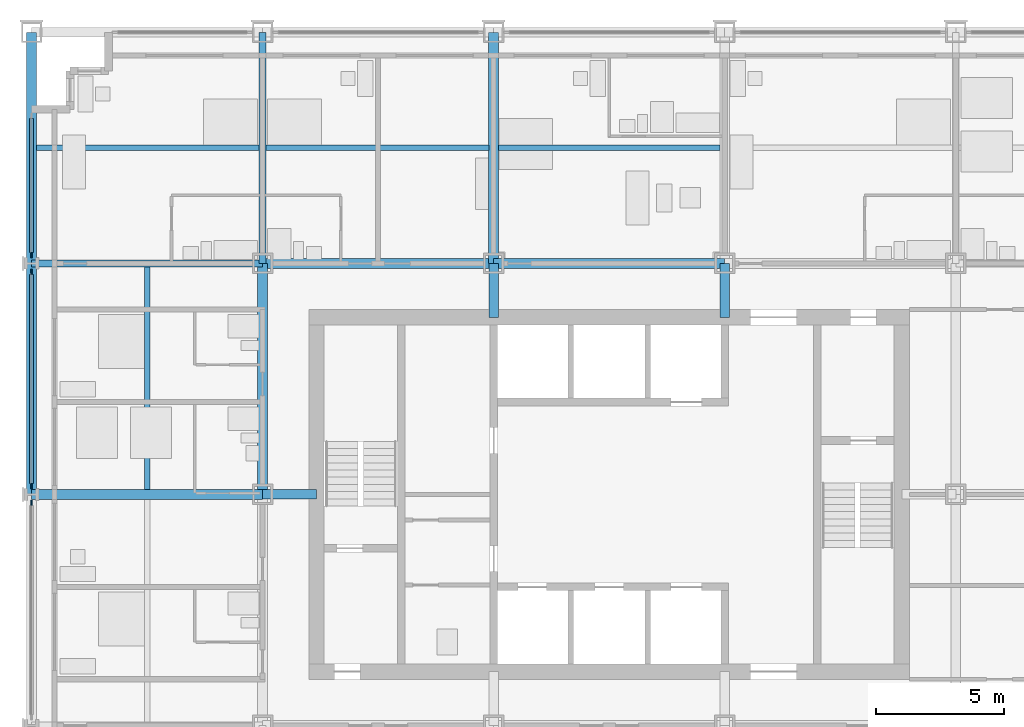
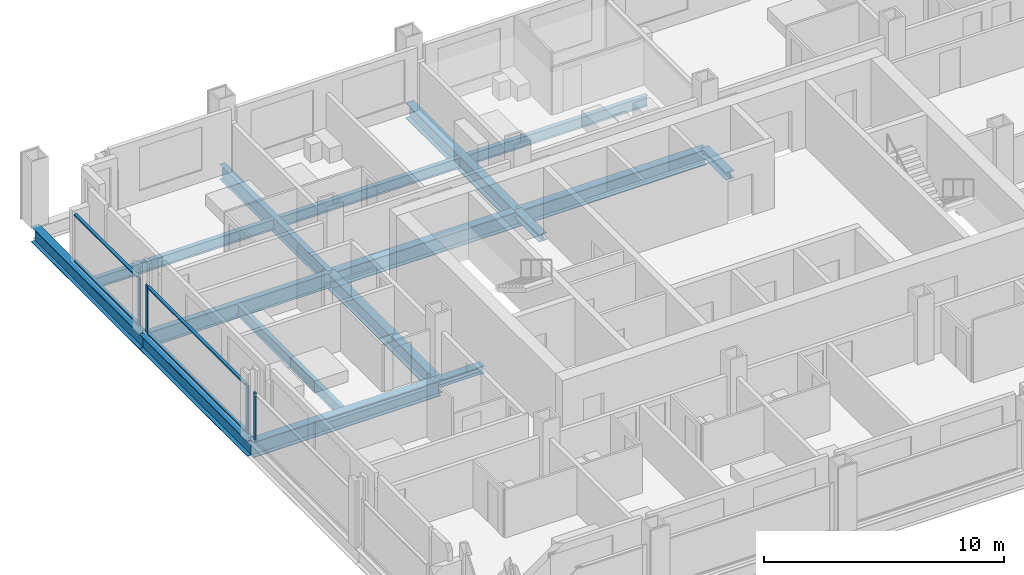
# One storey, part 4 of 18: 13 beams, 11 members, 3 elements without a shape of their own.
"""IFC4 building model written with IfcOpenShell, lengths in metres."""

import ifcopenshell
import ifcopenshell.guid

model = None  # the IFC model being written
_history = None  # IfcOwnerHistory: only IFC2X3 demands one
_inside = {}  # id of a spatial element -> (the spatial element, [elements in it])
_under = {}  # id of a project, library or spatial element -> (it, [spatial elements below it])
_declared = {}  # id of a project -> (the project, [libraries it declares])
_typed = {}  # id of a type object -> (the type object, [elements of that type])
_made_of = {}  # id of a material, layer set ... -> (it, [elements and type objects made of it])


def new_model(schema):
    """Start an empty IFC model of exactly this schema.

    Asked for "IFC4X3", IfcOpenShell would pick the latest addendum, in which some entities
    have other attributes; the version numbers below select the first issue.
    IFC2X3 requires an IfcOwnerHistory on every rooted entity: one is made here for all.
    """
    global model, _history
    if schema == "IFC4X3":
        model = ifcopenshell.file(schema_version=(4, 3, 0, 0))
    else:
        model = ifcopenshell.file(schema=schema)
    _inside.clear()
    _under.clear()
    _declared.clear()
    _typed.clear()
    _made_of.clear()
    _history = None
    if model.schema == "IFC2X3":
        org = make("IfcOrganization", Name="unknown")
        user = make(
            "IfcPersonAndOrganization",
            ThePerson=make("IfcPerson", FamilyName="unknown"),
            TheOrganization=org,
        )
        app = make(
            "IfcApplication",
            ApplicationDeveloper=org,
            Version="unknown",
            ApplicationFullName="unknown",
            ApplicationIdentifier="unknown",
        )
        _history = make(
            "IfcOwnerHistory",
            OwningUser=user,
            OwningApplication=app,
            ChangeAction="ADDED",
            CreationDate=0,
        )
    return model


def make(cls, **values):
    """One entity of the class cls with the attributes given. An attribute that is None is left unset."""
    return model.create_entity(
        cls, **{name: value for name, value in values.items() if value is not None}
    )


def rooted(cls, **values):
    """An entity with a GlobalId (a new one), such as an element, a storey or a relation."""
    return make(cls, GlobalId=ifcopenshell.guid.new(), OwnerHistory=_history, **values)


def si_unit(unit_type, name, prefix=None):
    """IfcSIUnit, for example si_unit("LENGTHUNIT", "METRE", prefix="MILLI")."""
    return make("IfcSIUnit", UnitType=unit_type, Prefix=prefix, Name=name)


def assignment(units):
    """IfcUnitAssignment: the units of a project."""
    return None if units is None else make("IfcUnitAssignment", Units=units)


def point(xyz):
    """IfcCartesianPoint."""
    return None if xyz is None else make("IfcCartesianPoint", Coordinates=xyz)


def direction(xyz):
    """IfcDirection."""
    return None if xyz is None else make("IfcDirection", DirectionRatios=xyz)


def frame(location, z_axis=None, x_axis=None):
    """IfcAxis2Placement3D, a coordinate frame: its origin and axes. An axis left out is left unset."""
    return make(
        "IfcAxis2Placement3D",
        Location=point(location),
        Axis=direction(z_axis),
        RefDirection=direction(x_axis),
    )


def frame_2d(location, x_axis=None):
    """IfcAxis2Placement2D, a coordinate frame in the plane: its origin and x axis."""
    return make(
        "IfcAxis2Placement2D", Location=point(location), RefDirection=direction(x_axis)
    )


def origin():
    """The frame at (0, 0, 0) with its axes left unset."""
    return frame((0.0, 0.0, 0.0))


def origin_2d():
    """The frame at (0, 0) in the plane with its x axis left unset."""
    return frame_2d((0.0, 0.0))


def place(relative_to, where):
    """IfcLocalPlacement: puts the frame where relative to a parent placement (None: the world)."""
    return make(
        "IfcLocalPlacement", PlacementRelTo=relative_to, RelativePlacement=where
    )


def context(
    kind, dimensions, precision=None, world=None, true_north=None, identifier=None
):
    """IfcGeometricRepresentationContext, for example the 3D "Model" context."""
    return make(
        "IfcGeometricRepresentationContext",
        ContextIdentifier=identifier,
        ContextType=kind,
        CoordinateSpaceDimension=dimensions,
        Precision=precision,
        WorldCoordinateSystem=world,
        TrueNorth=true_north,
    )


def subcontext(parent, identifier, kind, view, scale=None):
    """IfcGeometricRepresentationSubContext, for example "Body" below "Model"."""
    return make(
        "IfcGeometricRepresentationSubContext",
        ContextIdentifier=identifier,
        ContextType=kind,
        ParentContext=parent,
        TargetScale=scale,
        TargetView=view,
    )


def project(units=None, contexts=None):
    """IfcProject with its units and contexts."""
    return rooted(
        "IfcProject",
        Name="project",
        RepresentationContexts=contexts,
        UnitsInContext=assignment(units),
    )


def spatial(cls, under=None, at=None, **own):
    """A site, building, storey or space (cls), placed at a placement, below another one or the project."""
    s = rooted(cls, ObjectPlacement=at, **own)
    if under is not None:
        _under.setdefault(under.id(), (under, []))[1].append(s)
    return s


def profile(cls, at=None, kind="AREA", **sizes):
    """A parametric profile (cls). Its sizes go by their IFC names, for example OverallWidth=200.0."""
    return make(cls, ProfileType=kind, Position=at, **sizes)


def rectangle(**sizes):
    """IfcRectangleProfileDef."""
    return profile("IfcRectangleProfileDef", **sizes)


def i_section(**sizes):
    """IfcIShapeProfileDef."""
    return profile("IfcIShapeProfileDef", **sizes)


def extrude(swept, where, along, depth):
    """IfcExtrudedAreaSolid: the profile swept, set in the frame where, extruded along a direction by depth."""
    return make(
        "IfcExtrudedAreaSolid",
        SweptArea=swept,
        Position=where,
        ExtrudedDirection=direction(along),
        Depth=depth,
    )


def shape(context_of_items, identifier, shape_type, items):
    """IfcShapeRepresentation: the items that make up one representation, for example the "Body"."""
    return make(
        "IfcShapeRepresentation",
        ContextOfItems=context_of_items,
        RepresentationIdentifier=identifier,
        RepresentationType=shape_type,
        Items=items,
    )


def material(Name=None, Category=None):
    """IfcMaterial."""
    return make("IfcMaterial", Name=Name, Category=Category)


def material_profile(
    of_material, cross_section, Name=None, Category=None, Priority=None
):
    """IfcMaterialProfile: a cross section and its material."""
    return make(
        "IfcMaterialProfile",
        Name=Name,
        Material=of_material,
        Profile=cross_section,
        Priority=Priority,
        Category=Category,
    )


def profile_set(profiles, Name=None, composite=None):
    """IfcMaterialProfileSet."""
    return make(
        "IfcMaterialProfileSet",
        Name=Name,
        MaterialProfiles=profiles,
        CompositeProfile=composite,
    )


def made_of(thing, what):
    """Note that an element or type object is made of a material, layer set ...; save() writes the relation."""
    if what is not None:
        _made_of.setdefault(what.id(), (what, []))[1].append(thing)
    return thing


def type_object(cls, material=None, **own):
    """A type object (cls), such as IfcWallType, which elements share."""
    return made_of(rooted(cls, **own), material)


def element(
    cls,
    number,
    at=None,
    inside=None,
    cuts=None,
    type_object=None,
    material=None,
    context=None,
    identifier="Body",
    shape_type=None,
    held_by="IfcProductDefinitionShape",
    body=None,
    shapes=None,
    **own,
):
    """One element of the class cls, such as IfcWall. Its Tag is "e" and its number.

    at: its placement. inside: the storey or other place that contains it. cuts: it is an
    opening in that element (IfcRelVoidsElement). A single representation is given by context,
    identifier, shape_type and body (its items); several are given by shapes. held_by: the class
    of the entity that holds the representations. save() writes the other relations.
    """
    e = rooted(cls, Tag="e%d" % number, ObjectPlacement=at, **own)
    if body is not None:
        shapes = [shape(context, identifier, shape_type, body)]
    if shapes is not None:
        e.Representation = make(held_by, Representations=shapes)
    if inside is not None:
        _inside.setdefault(inside.id(), (inside, []))[1].append(e)
    if cuts is not None:
        rooted(
            "IfcRelVoidsElement", RelatingBuildingElement=cuts, RelatedOpeningElement=e
        )
    if type_object is not None:
        _typed.setdefault(type_object.id(), (type_object, []))[1].append(e)
    return made_of(e, material)


def aggregate(whole, parts):
    """IfcRelAggregates: a whole, such as a stair, and the parts it consists of."""
    return rooted("IfcRelAggregates", RelatingObject=whole, RelatedObjects=parts)


def save(model, path):
    """Write the relations noted so far, then the file.

    IfcRelAggregates (storeys below a building ...), IfcRelContainedInSpatialStructure (elements
    in a storey), IfcRelDefinesByType, IfcRelAssociatesMaterial and IfcRelDeclares: one each for
    every whole, place, type object, material and project.
    """
    for whole, parts in _under.values():
        aggregate(whole, parts)
    for where, things in _inside.values():
        rooted(
            "IfcRelContainedInSpatialStructure",
            RelatedElements=things,
            RelatingStructure=where,
        )
    for kind, things in _typed.values():
        rooted("IfcRelDefinesByType", RelatedObjects=things, RelatingType=kind)
    for what, things in _made_of.values():
        rooted("IfcRelAssociatesMaterial", RelatedObjects=things, RelatingMaterial=what)
    for by, libraries in _declared.values():
        rooted("IfcRelDeclares", RelatingContext=by, RelatedDefinitions=libraries)
    model.write(path)


model = new_model("IFC4")

# Units and contexts
model_context = context("Model", 3, precision=1e-05, world=origin(), true_north=direction((0.0, 1.0)))
body_context = subcontext(model_context, "Body", "Model", "MODEL_VIEW")
ifc_project = project(units=[si_unit("LENGTHUNIT", "METRE"), si_unit("AREAUNIT", "SQUARE_METRE"), si_unit("VOLUMEUNIT", "CUBIC_METRE"), si_unit("PLANEANGLEUNIT", "RADIAN"), si_unit("MASSUNIT", "GRAM", prefix="KILO")], contexts=[model_context])

# Site, building, storey
site_placement = place(None, origin())
site = spatial("IfcSite", under=ifc_project, at=site_placement, CompositionType="ELEMENT")
building_placement = place(site_placement, origin())
building = spatial("IfcBuilding", under=site, at=building_placement, Name="Loomwork Tower", CompositionType="ELEMENT")
storey_placement = place(building_placement, frame((0.0, 0.0, 82.39990234375)))
storey = spatial("IfcBuildingStorey", under=building, at=storey_placement, Name="L21", CompositionType="ELEMENT", Elevation=82.39990234375)

# Beams
ifc_material_1 = material(Name="Steel ASTM A992", Category="steel")
ifc_material_profile_1 = material_profile(ifc_material_1, i_section(OverallWidth=0.383544921875, OverallDepth=0.794921875, WebThickness=0.02099609375, FlangeThickness=0.0380859375, at=origin_2d()), Name="W30x235")
ifc_profile_set_1 = profile_set([ifc_material_profile_1], Name="Steel ASTM A992")
beam_type_1 = type_object("IfcBeamType", Name="CORE FLANK GIRDER W30x235", PredefinedType="BEAM", material=ifc_profile_set_1)
for number, where, z_axis, x_axis, name in (
    (1, (0.0, 18.0, -0.597412109375), (1.0, 0.0, 0.0), (0.0, 1.0, 0.0), "Core Flank Girder F/2-F/3 L21"),
    (2, (9.0, 27.0, -0.597412109375), (1.0, 0.0, 0.0), (0.0, 1.0, 0.0), "Core Flank Girder G/3-G/4 L21"),
    (3, (18.0, 27.0, -0.597412109375), (1.0, 0.0, 0.0), (0.0, 1.0, 0.0), "Core Flank Girder G/4-G/5 L21"),
    (4, (9.0, 18.0, -0.597412109375), (0.0, 1.0, 0.0), (-1.0, 0.0, 0.0), "Core Flank Girder F/3-G/3 L21"),
    (5, (18.0, 27.0, -0.597412109375), (0.0, 1.0, 0.0), (-1.0, 0.0, 0.0), "Core Flank Girder G/4-H/4 L21"),
):
    element("IfcBeam", number, at=place(storey_placement, frame(where, z_axis=z_axis, x_axis=x_axis)), inside=storey, type_object=beam_type_1, Name=name, PredefinedType="BEAM", context=body_context, shape_type="SweptSolid", body=[
        extrude(i_section(OverallWidth=0.383544921875, OverallDepth=0.794921875, WebThickness=0.02099609375, FlangeThickness=0.0380859375, at=origin_2d()), origin(), (0.0, 0.0, 1.0), 9.0),
    ])

# Members
ifc_material_2 = material(Name="Steel ASTM A992", Category="steel")
ifc_material_profile_2 = material_profile(ifc_material_2, i_section(OverallWidth=0.373291015625, OverallDepth=0.373291015625, WebThickness=0.016357421875, FlangeThickness=0.026123046875, at=origin_2d()), Name="W14x132")
ifc_profile_set_2 = profile_set([ifc_material_profile_2], Name="Steel ASTM A992")
member_type_1 = type_object("IfcMemberType", Name="CORE LINK STRUT W14x132", PredefinedType="STRUT", material=ifc_profile_set_2)
for number, where, z_axis, x_axis, name in (
    (6, (27.0, 27.0, -0.386474609375), (0.0, -1.0, 0.0), (1.0, 0.0, 0.0), "Core link strut G/5-27.000,24.900 L21"),
    (7, (18.0, 27.0, -0.386474609375), (0.0, -1.0, 0.0), (1.0, 0.0, 0.0), "Core link strut G/4-18.000,24.900 L21"),
    (8, (9.0, 18.0, -0.386474609375), (1.0, 0.0, 0.0), (0.0, 1.0, 0.0), "Core link strut F/3-11.100,18.000 L21"),
):
    element("IfcMember", number, at=place(storey_placement, frame(where, z_axis=z_axis, x_axis=x_axis)), inside=storey, type_object=member_type_1, Name=name, PredefinedType="STRUT", context=body_context, shape_type="SweptSolid", body=[
        extrude(i_section(OverallWidth=0.373291015625, OverallDepth=0.373291015625, WebThickness=0.016357421875, FlangeThickness=0.026123046875, at=origin_2d()), origin(), (0.0, 0.0, 1.0), 2.10009765625),
    ])

# Beams
ifc_material_3 = material(Name="Steel ASTM A992", Category="steel")
ifc_material_profile_3 = material_profile(ifc_material_3, i_section(OverallWidth=0.2666015625, OverallDepth=0.761962890625, WebThickness=0.014404296875, FlangeThickness=0.021484375, at=origin_2d()), Name="W30x116")
ifc_profile_set_3 = profile_set([ifc_material_profile_3], Name="Steel ASTM A992")
beam_type_2 = type_object("IfcBeamType", Name="FLOOR GIRDER W30x116", PredefinedType="BEAM", material=ifc_profile_set_3)
for number, where, z_axis, x_axis, name in (
    (9, (0.0, 27.0, -0.580810546875), (1.0, 0.0, 0.0), (0.0, 1.0, 0.0), "Floor Girder G/2-G/3 L21"),
    (10, (9.0, 27.0, -0.580810546875), (0.0, 1.0, 0.0), (-1.0, 0.0, 0.0), "Floor Girder G/3-H/3 L21"),
):
    element("IfcBeam", number, at=place(storey_placement, frame(where, z_axis=z_axis, x_axis=x_axis)), inside=storey, type_object=beam_type_2, Name=name, PredefinedType="BEAM", context=body_context, shape_type="SweptSolid", body=[
        extrude(i_section(OverallWidth=0.2666015625, OverallDepth=0.761962890625, WebThickness=0.014404296875, FlangeThickness=0.021484375, at=origin_2d()), origin(), (0.0, 0.0, 1.0), 9.0),
    ])
ifc_material_4 = material(Name="Steel ASTM A992", Category="steel")
ifc_material_profile_4 = material_profile(ifc_material_4, i_section(OverallWidth=0.2109375, OverallDepth=0.53857421875, WebThickness=0.011474609375, FlangeThickness=0.018798828125, at=origin_2d()), Name="W21x73")
ifc_profile_set_4 = profile_set([ifc_material_profile_4], Name="Steel ASTM A992")
beam_type_3 = type_object("IfcBeamType", Name="FLOOR JOIST W21x73", PredefinedType="JOIST", material=ifc_profile_set_4)
beam_1_placement = place(storey_placement, frame((4.5, 18.19091796875, -0.46923828125), z_axis=(0.0, 1.0, 0.0), x_axis=(-1.0, 0.0, 0.0)))
element("IfcBeam", 11, at=beam_1_placement, inside=storey, type_object=beam_type_3, Name="Floor Joist 4.500,18.000-4.500,27.000 L21", PredefinedType="JOIST", context=body_context, shape_type="SweptSolid", body=[
    extrude(i_section(OverallWidth=0.2109375, OverallDepth=0.53857421875, WebThickness=0.011474609375, FlangeThickness=0.018798828125, at=origin_2d()), origin(), (0.0, 0.0, 1.0), 8.676025390625),
])
beam_2_placement = place(storey_placement, frame((0.18994140625, 31.5, -0.46923828125), z_axis=(1.0, 0.0, 0.0), x_axis=(0.0, 1.0, 0.0)))
element("IfcBeam", 12, at=beam_2_placement, inside=storey, type_object=beam_type_3, Name="Floor Joist 0.000,31.500-9.000,31.500 L21", PredefinedType="JOIST", context=body_context, shape_type="SweptSolid", body=[
    extrude(i_section(OverallWidth=0.2109375, OverallDepth=0.53857421875, WebThickness=0.011474609375, FlangeThickness=0.018798828125, at=origin_2d()), origin(), (0.0, 0.0, 1.0), 8.677001953125),
])
beam_3_placement = place(storey_placement, frame((9.133056640625, 31.5, -0.46923828125), z_axis=(1.0, 0.0, 0.0), x_axis=(0.0, 1.0, 0.0)))
element("IfcBeam", 13, at=beam_3_placement, inside=storey, type_object=beam_type_3, Name="Floor Joist 9.000,31.500-18.000,31.500 L21", PredefinedType="JOIST", context=body_context, shape_type="SweptSolid", body=[
    extrude(i_section(OverallWidth=0.2109375, OverallDepth=0.53857421875, WebThickness=0.011474609375, FlangeThickness=0.018798828125, at=origin_2d()), origin(), (0.0, 0.0, 1.0), 8.676025390625),
])
beam_4_placement = place(storey_placement, frame((18.19091796875, 31.5, -0.46923828125), z_axis=(1.0, 0.0, 0.0), x_axis=(0.0, 1.0, 0.0)))
element("IfcBeam", 14, at=beam_4_placement, inside=storey, type_object=beam_type_3, Name="Floor Joist 18.000,31.500-27.000,31.500 L21", PredefinedType="JOIST", context=body_context, shape_type="SweptSolid", body=[
    extrude(i_section(OverallWidth=0.2109375, OverallDepth=0.53857421875, WebThickness=0.011474609375, FlangeThickness=0.018798828125, at=origin_2d()), origin(), (0.0, 0.0, 1.0), 8.6181640625),
])

# Curtain wall, member
ifc_material_5 = material(Name="Aluminium curtain wall frame", Category="aluminium")
curtain_wall_type = type_object("IfcCurtainWallType", Name="Outer skin glazing hotel", PredefinedType="NOTDEFINED", material=ifc_material_5)
curtain_wall_1_placement = place(storey_placement, origin())
curtain_wall_1 = element("IfcCurtainWall", 15, at=curtain_wall_1_placement, inside=storey, type_object=curtain_wall_type, Name="Outer skin glazing hotel cw/W-9", PredefinedType="NOTDEFINED")
ifc_material_6 = material(Name="Aluminium curtain wall frame", Category="aluminium")
ifc_material_profile_5 = material_profile(ifc_material_6, rectangle(XDim=0.06494140625, YDim=0.199951171875, at=origin_2d()), Name="AL 65x200")
ifc_profile_set_5 = profile_set([ifc_material_profile_5], Name="Aluminium curtain wall frame")
member_type_2 = type_object("IfcMemberType", Name="Outer skin glazing hotel mullion", PredefinedType="MULLION", material=ifc_profile_set_5)
member_1_placement = place(storey_placement, frame((0.0, 17.672607421875, 0.0), z_axis=(0.0, 0.0, 1.0), x_axis=(1.0, 0.0, 0.0)))
member_1 = element("IfcMember", 16, at=member_1_placement, type_object=member_type_2, Name="CW1 mullion 1", PredefinedType="MULLION", context=body_context, shape_type="SweptSolid", body=[
    extrude(rectangle(XDim=0.06494140625, YDim=0.199951171875, at=origin_2d()), origin(), (0.0, 0.0, 1.0), 2.42041015625),
])
aggregate(curtain_wall_1, [member_1])

# Curtain wall, members
curtain_wall_2_placement = place(storey_placement, origin())
curtain_wall_2 = element("IfcCurtainWall", 17, at=curtain_wall_2_placement, inside=storey, type_object=curtain_wall_type, Name="Outer skin glazing hotel cw/W-18", PredefinedType="NOTDEFINED")
member_2_placement = place(storey_placement, frame((0.0, 26.672607421875, 0.0), z_axis=(0.0, 0.0, 1.0), x_axis=(1.0, 0.0, 0.0)))
member_2 = element("IfcMember", 18, at=member_2_placement, type_object=member_type_2, Name="CW1 mullion 1", PredefinedType="MULLION", context=body_context, shape_type="SweptSolid", body=[
    extrude(rectangle(XDim=0.06494140625, YDim=0.199951171875, at=origin_2d()), origin(), (0.0, 0.0, 1.0), 2.42041015625),
])
member_3_placement = place(storey_placement, frame((0.0, 18.327392578125, 0.0), z_axis=(0.0, 0.0, 1.0), x_axis=(1.0, 0.0, 0.0)))
member_3 = element("IfcMember", 19, at=member_3_placement, type_object=member_type_2, Name="CW1 mullion 2", PredefinedType="MULLION", context=body_context, shape_type="SweptSolid", body=[
    extrude(rectangle(XDim=0.06494140625, YDim=0.199951171875, at=origin_2d()), origin(), (0.0, 0.0, 1.0), 2.42041015625),
])

# Curtain wall, member
curtain_wall_3_placement = place(storey_placement, origin())
curtain_wall_3 = element("IfcCurtainWall", 20, at=curtain_wall_3_placement, inside=storey, type_object=curtain_wall_type, Name="Outer skin glazing hotel cw/W-27", PredefinedType="NOTDEFINED")
member_4_placement = place(storey_placement, frame((0.0, 27.327392578125, 0.0), z_axis=(0.0, 0.0, 1.0), x_axis=(1.0, 0.0, 0.0)))
member_4 = element("IfcMember", 21, at=member_4_placement, type_object=member_type_2, Name="CW1 mullion 2", PredefinedType="MULLION", context=body_context, shape_type="SweptSolid", body=[
    extrude(rectangle(XDim=0.06494140625, YDim=0.199951171875, at=origin_2d()), origin(), (0.0, 0.0, 1.0), 2.42041015625),
])

# Member
ifc_material_7 = material(Name="Aluminium curtain wall frame", Category="aluminium")
ifc_material_profile_6 = material_profile(ifc_material_7, rectangle(XDim=0.14990234375, YDim=0.06494140625, at=origin_2d()), Name="AL 65x150")
ifc_profile_set_6 = profile_set([ifc_material_profile_6], Name="Aluminium curtain wall frame")
member_type_3 = type_object("IfcMemberType", Name="Outer skin glazing hotel transom", PredefinedType="USERDEFINED", material=ifc_profile_set_6)
member_5_placement = place(storey_placement, frame((0.0, 26.57275390625, 0.03271484375), z_axis=(0.0, -1.0, 0.0), x_axis=(1.0, 0.0, 0.0)))
member_5 = element("IfcMember", 22, at=member_5_placement, type_object=member_type_3, Name="CW1 transom 1.1", ObjectType="TRANSOM", PredefinedType="USERDEFINED", context=body_context, shape_type="SweptSolid", body=[
    extrude(rectangle(XDim=0.14990234375, YDim=0.06494140625, at=origin_2d()), origin(), (0.0, 0.0, 1.0), 8.1455078125),
])

member_6_placement = place(storey_placement, frame((0.0, 26.57275390625, 2.3876953125), z_axis=(0.0, -1.0, 0.0), x_axis=(1.0, 0.0, 0.0)))
member_6 = element("IfcMember", 23, at=member_6_placement, type_object=member_type_3, Name="CW1 transom 1.2", ObjectType="TRANSOM", PredefinedType="USERDEFINED", context=body_context, shape_type="SweptSolid", body=[
    extrude(rectangle(XDim=0.14990234375, YDim=0.06494140625, at=origin_2d()), origin(), (0.0, 0.0, 1.0), 8.1455078125),
])

aggregate(curtain_wall_2, [member_2, member_3, member_5, member_6])

member_7_placement = place(storey_placement, frame((0.0, 32.64990234375, 0.03271484375), z_axis=(0.0, -1.0, 0.0), x_axis=(1.0, 0.0, 0.0)))
member_7 = element("IfcMember", 24, at=member_7_placement, type_object=member_type_3, Name="CW1 transom 1.1", ObjectType="TRANSOM", PredefinedType="USERDEFINED", context=body_context, shape_type="SweptSolid", body=[
    extrude(rectangle(XDim=0.14990234375, YDim=0.06494140625, at=origin_2d()), origin(), (0.0, 0.0, 1.0), 5.22265625),
])

member_8_placement = place(storey_placement, frame((0.0, 32.64990234375, 2.3876953125), z_axis=(0.0, -1.0, 0.0), x_axis=(1.0, 0.0, 0.0)))
member_8 = element("IfcMember", 25, at=member_8_placement, type_object=member_type_3, Name="CW1 transom 1.2", ObjectType="TRANSOM", PredefinedType="USERDEFINED", context=body_context, shape_type="SweptSolid", body=[
    extrude(rectangle(XDim=0.14990234375, YDim=0.06494140625, at=origin_2d()), origin(), (0.0, 0.0, 1.0), 5.22265625),
])

aggregate(curtain_wall_3, [member_4, member_7, member_8])

# Beams
ifc_material_8 = material(Name="Steel ASTM A992", Category="steel")
ifc_material_profile_7 = material_profile(ifc_material_8, i_section(OverallWidth=0.381103515625, OverallDepth=0.77978515625, WebThickness=0.01806640625, FlangeThickness=0.0302734375, at=origin_2d()), Name="W30x191")
ifc_profile_set_7 = profile_set([ifc_material_profile_7], Name="Steel ASTM A992")
beam_type_4 = type_object("IfcBeamType", Name="SPANDREL GIRDER W30x191", PredefinedType="SPANDREL", material=ifc_profile_set_7)
for number, where, z_axis, x_axis, name in (
    (26, (0.0, 18.0, -0.58984375), (0.0, 1.0, 0.0), (-1.0, 0.0, 0.0), "Spandrel Girder F/2-G/2 L21"),
    (27, (0.0, 27.0, -0.58984375), (0.0, 1.0, 0.0), (-1.0, 0.0, 0.0), "Spandrel Girder G/2-H/2 L21"),
):
    element("IfcBeam", number, at=place(storey_placement, frame(where, z_axis=z_axis, x_axis=x_axis)), inside=storey, type_object=beam_type_4, Name=name, PredefinedType="SPANDREL", context=body_context, shape_type="SweptSolid", body=[
        extrude(i_section(OverallWidth=0.381103515625, OverallDepth=0.77978515625, WebThickness=0.01806640625, FlangeThickness=0.0302734375, at=origin_2d()), origin(), (0.0, 0.0, 1.0), 9.0),
    ])

save(model, "model.ifc")
